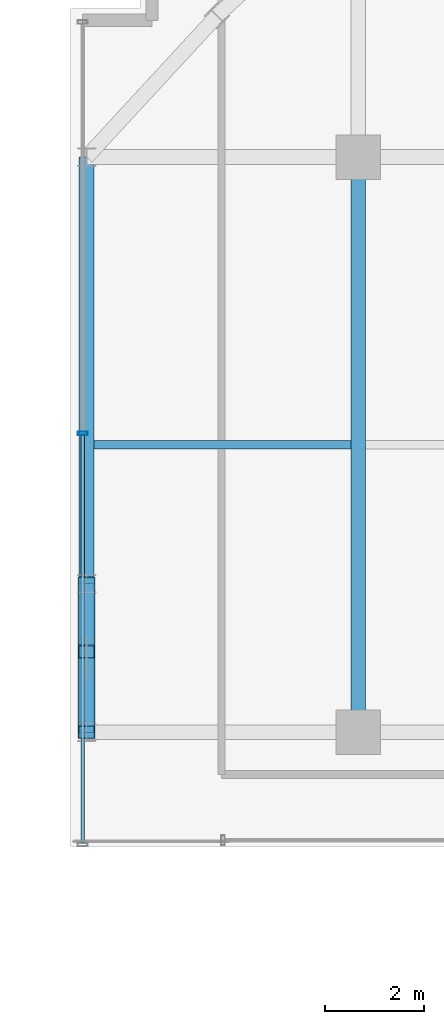
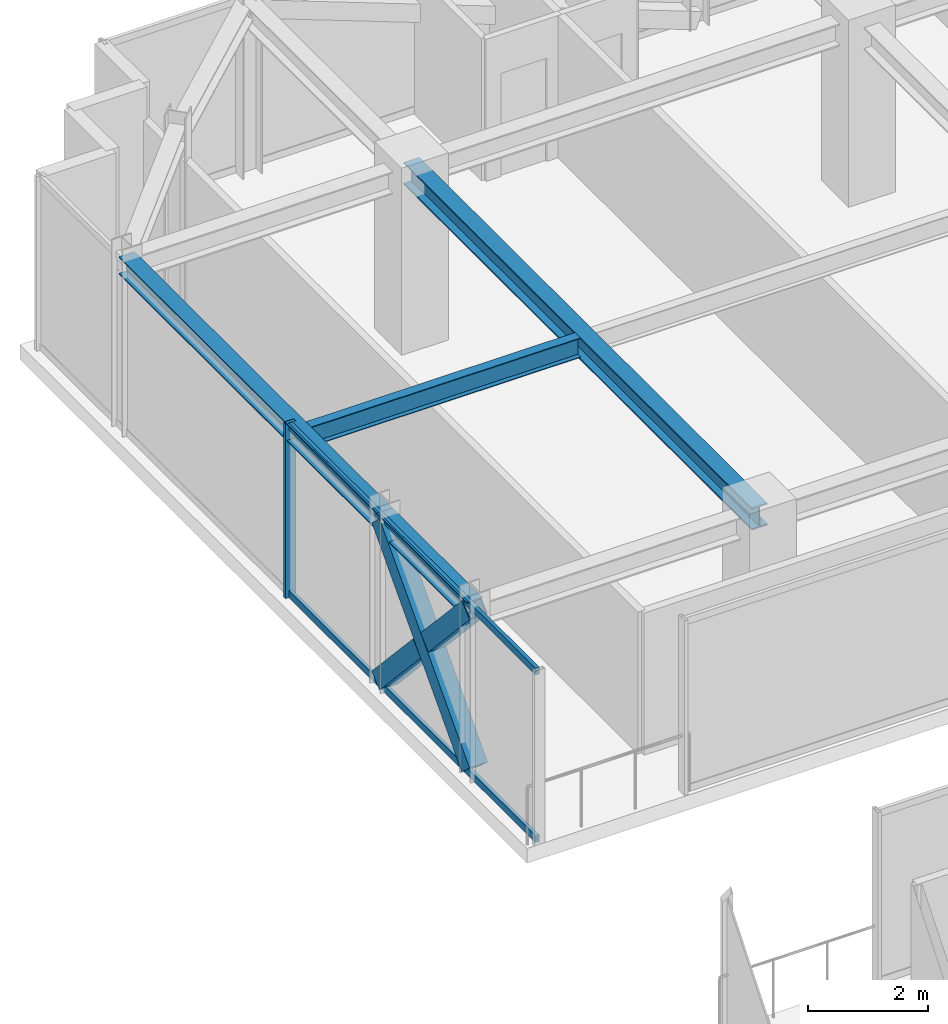
# One storey, part 21 of 37: 6 members, 4 beams, 1 element without a shape of its own.
"""IFC4 building model written with IfcOpenShell, lengths in metres."""

import ifcopenshell
import ifcopenshell.guid

model = None  # the IFC model being written
_history = None  # IfcOwnerHistory: only IFC2X3 demands one
_inside = {}  # id of a spatial element -> (the spatial element, [elements in it])
_under = {}  # id of a project, library or spatial element -> (it, [spatial elements below it])
_declared = {}  # id of a project -> (the project, [libraries it declares])
_typed = {}  # id of a type object -> (the type object, [elements of that type])
_made_of = {}  # id of a material, layer set ... -> (it, [elements and type objects made of it])


def new_model(schema):
    """Start an empty IFC model of exactly this schema.

    Asked for "IFC4X3", IfcOpenShell would pick the latest addendum, in which some entities
    have other attributes; the version numbers below select the first issue.
    IFC2X3 requires an IfcOwnerHistory on every rooted entity: one is made here for all.
    """
    global model, _history
    if schema == "IFC4X3":
        model = ifcopenshell.file(schema_version=(4, 3, 0, 0))
    else:
        model = ifcopenshell.file(schema=schema)
    _inside.clear()
    _under.clear()
    _declared.clear()
    _typed.clear()
    _made_of.clear()
    _history = None
    if model.schema == "IFC2X3":
        org = make("IfcOrganization", Name="unknown")
        user = make(
            "IfcPersonAndOrganization",
            ThePerson=make("IfcPerson", FamilyName="unknown"),
            TheOrganization=org,
        )
        app = make(
            "IfcApplication",
            ApplicationDeveloper=org,
            Version="unknown",
            ApplicationFullName="unknown",
            ApplicationIdentifier="unknown",
        )
        _history = make(
            "IfcOwnerHistory",
            OwningUser=user,
            OwningApplication=app,
            ChangeAction="ADDED",
            CreationDate=0,
        )
    return model


def make(cls, **values):
    """One entity of the class cls with the attributes given. An attribute that is None is left unset."""
    return model.create_entity(
        cls, **{name: value for name, value in values.items() if value is not None}
    )


def rooted(cls, **values):
    """An entity with a GlobalId (a new one), such as an element, a storey or a relation."""
    return make(cls, GlobalId=ifcopenshell.guid.new(), OwnerHistory=_history, **values)


def si_unit(unit_type, name, prefix=None):
    """IfcSIUnit, for example si_unit("LENGTHUNIT", "METRE", prefix="MILLI")."""
    return make("IfcSIUnit", UnitType=unit_type, Prefix=prefix, Name=name)


def assignment(units):
    """IfcUnitAssignment: the units of a project."""
    return None if units is None else make("IfcUnitAssignment", Units=units)


def point(xyz):
    """IfcCartesianPoint."""
    return None if xyz is None else make("IfcCartesianPoint", Coordinates=xyz)


def direction(xyz):
    """IfcDirection."""
    return None if xyz is None else make("IfcDirection", DirectionRatios=xyz)


def frame(location, z_axis=None, x_axis=None):
    """IfcAxis2Placement3D, a coordinate frame: its origin and axes. An axis left out is left unset."""
    return make(
        "IfcAxis2Placement3D",
        Location=point(location),
        Axis=direction(z_axis),
        RefDirection=direction(x_axis),
    )


def frame_2d(location, x_axis=None):
    """IfcAxis2Placement2D, a coordinate frame in the plane: its origin and x axis."""
    return make(
        "IfcAxis2Placement2D", Location=point(location), RefDirection=direction(x_axis)
    )


def origin():
    """The frame at (0, 0, 0) with its axes left unset."""
    return frame((0.0, 0.0, 0.0))


def origin_2d():
    """The frame at (0, 0) in the plane with its x axis left unset."""
    return frame_2d((0.0, 0.0))


def place(relative_to, where):
    """IfcLocalPlacement: puts the frame where relative to a parent placement (None: the world)."""
    return make(
        "IfcLocalPlacement", PlacementRelTo=relative_to, RelativePlacement=where
    )


def context(
    kind, dimensions, precision=None, world=None, true_north=None, identifier=None
):
    """IfcGeometricRepresentationContext, for example the 3D "Model" context."""
    return make(
        "IfcGeometricRepresentationContext",
        ContextIdentifier=identifier,
        ContextType=kind,
        CoordinateSpaceDimension=dimensions,
        Precision=precision,
        WorldCoordinateSystem=world,
        TrueNorth=true_north,
    )


def subcontext(parent, identifier, kind, view, scale=None):
    """IfcGeometricRepresentationSubContext, for example "Body" below "Model"."""
    return make(
        "IfcGeometricRepresentationSubContext",
        ContextIdentifier=identifier,
        ContextType=kind,
        ParentContext=parent,
        TargetScale=scale,
        TargetView=view,
    )


def project(units=None, contexts=None):
    """IfcProject with its units and contexts."""
    return rooted(
        "IfcProject",
        Name="project",
        RepresentationContexts=contexts,
        UnitsInContext=assignment(units),
    )


def spatial(cls, under=None, at=None, **own):
    """A site, building, storey or space (cls), placed at a placement, below another one or the project."""
    s = rooted(cls, ObjectPlacement=at, **own)
    if under is not None:
        _under.setdefault(under.id(), (under, []))[1].append(s)
    return s


def profile(cls, at=None, kind="AREA", **sizes):
    """A parametric profile (cls). Its sizes go by their IFC names, for example OverallWidth=200.0."""
    return make(cls, ProfileType=kind, Position=at, **sizes)


def hollow_rectangle(**sizes):
    """IfcRectangleHollowProfileDef."""
    return profile("IfcRectangleHollowProfileDef", **sizes)


def i_section(**sizes):
    """IfcIShapeProfileDef."""
    return profile("IfcIShapeProfileDef", **sizes)


def extrude(swept, where, along, depth):
    """IfcExtrudedAreaSolid: the profile swept, set in the frame where, extruded along a direction by depth."""
    return make(
        "IfcExtrudedAreaSolid",
        SweptArea=swept,
        Position=where,
        ExtrudedDirection=direction(along),
        Depth=depth,
    )


def shape(context_of_items, identifier, shape_type, items):
    """IfcShapeRepresentation: the items that make up one representation, for example the "Body"."""
    return make(
        "IfcShapeRepresentation",
        ContextOfItems=context_of_items,
        RepresentationIdentifier=identifier,
        RepresentationType=shape_type,
        Items=items,
    )


def source(mapping_origin, context_of_items, identifier, shape_type, items):
    """IfcRepresentationMap: a shape defined once, which mapped items show again and again."""
    return make(
        "IfcRepresentationMap",
        MappingOrigin=mapping_origin,
        MappedRepresentation=shape(context_of_items, identifier, shape_type, items),
    )


def transform(
    local_origin,
    x_axis=None,
    y_axis=None,
    z_axis=None,
    scale=None,
    scale2=None,
    scale3=None,
    uniform=True,
):
    """IfcCartesianTransformationOperator3D, or its non-uniform kind. x_axis, y_axis, z_axis: its Axis1, 2, 3."""
    if uniform:
        return make(
            "IfcCartesianTransformationOperator3D",
            Axis1=direction(x_axis),
            Axis2=direction(y_axis),
            LocalOrigin=point(local_origin),
            Scale=scale,
            Axis3=direction(z_axis),
        )
    return make(
        "IfcCartesianTransformationOperator3DnonUniform",
        Axis1=direction(x_axis),
        Axis2=direction(y_axis),
        LocalOrigin=point(local_origin),
        Scale=scale,
        Axis3=direction(z_axis),
        Scale2=scale2,
        Scale3=scale3,
    )


def mapped(mapping_source, mapping_target):
    """IfcMappedItem: shows the shape of a source again, moved by a transform."""
    return make(
        "IfcMappedItem", MappingSource=mapping_source, MappingTarget=mapping_target
    )


def material(Name=None, Category=None):
    """IfcMaterial."""
    return make("IfcMaterial", Name=Name, Category=Category)


def material_profile(
    of_material, cross_section, Name=None, Category=None, Priority=None
):
    """IfcMaterialProfile: a cross section and its material."""
    return make(
        "IfcMaterialProfile",
        Name=Name,
        Material=of_material,
        Profile=cross_section,
        Priority=Priority,
        Category=Category,
    )


def profile_set(profiles, Name=None, composite=None):
    """IfcMaterialProfileSet."""
    return make(
        "IfcMaterialProfileSet",
        Name=Name,
        MaterialProfiles=profiles,
        CompositeProfile=composite,
    )


def made_of(thing, what):
    """Note that an element or type object is made of a material, layer set ...; save() writes the relation."""
    if what is not None:
        _made_of.setdefault(what.id(), (what, []))[1].append(thing)
    return thing


def type_object(cls, material=None, **own):
    """A type object (cls), such as IfcWallType, which elements share."""
    return made_of(rooted(cls, **own), material)


def element(
    cls,
    number,
    at=None,
    inside=None,
    cuts=None,
    type_object=None,
    material=None,
    context=None,
    identifier="Body",
    shape_type=None,
    held_by="IfcProductDefinitionShape",
    body=None,
    shapes=None,
    **own,
):
    """One element of the class cls, such as IfcWall. Its Tag is "e" and its number.

    at: its placement. inside: the storey or other place that contains it. cuts: it is an
    opening in that element (IfcRelVoidsElement). A single representation is given by context,
    identifier, shape_type and body (its items); several are given by shapes. held_by: the class
    of the entity that holds the representations. save() writes the other relations.
    """
    e = rooted(cls, Tag="e%d" % number, ObjectPlacement=at, **own)
    if body is not None:
        shapes = [shape(context, identifier, shape_type, body)]
    if shapes is not None:
        e.Representation = make(held_by, Representations=shapes)
    if inside is not None:
        _inside.setdefault(inside.id(), (inside, []))[1].append(e)
    if cuts is not None:
        rooted(
            "IfcRelVoidsElement", RelatingBuildingElement=cuts, RelatedOpeningElement=e
        )
    if type_object is not None:
        _typed.setdefault(type_object.id(), (type_object, []))[1].append(e)
    return made_of(e, material)


def aggregate(whole, parts):
    """IfcRelAggregates: a whole, such as a stair, and the parts it consists of."""
    return rooted("IfcRelAggregates", RelatingObject=whole, RelatedObjects=parts)


def save(model, path):
    """Write the relations noted so far, then the file.

    IfcRelAggregates (storeys below a building ...), IfcRelContainedInSpatialStructure (elements
    in a storey), IfcRelDefinesByType, IfcRelAssociatesMaterial and IfcRelDeclares: one each for
    every whole, place, type object, material and project.
    """
    for whole, parts in _under.values():
        aggregate(whole, parts)
    for where, things in _inside.values():
        rooted(
            "IfcRelContainedInSpatialStructure",
            RelatedElements=things,
            RelatingStructure=where,
        )
    for kind, things in _typed.values():
        rooted("IfcRelDefinesByType", RelatedObjects=things, RelatingType=kind)
    for what, things in _made_of.values():
        rooted("IfcRelAssociatesMaterial", RelatedObjects=things, RelatingMaterial=what)
    for by, libraries in _declared.values():
        rooted("IfcRelDeclares", RelatingContext=by, RelatedDefinitions=libraries)
    model.write(path)


model = new_model("IFC4")

# Units and contexts
model_context = context("Model", 3, precision=1e-05, world=origin(), true_north=direction((0.0, 1.0)))
body_context = subcontext(model_context, "Body", "Model", "MODEL_VIEW")
ifc_project = project(units=[si_unit("LENGTHUNIT", "METRE"), si_unit("AREAUNIT", "SQUARE_METRE"), si_unit("VOLUMEUNIT", "CUBIC_METRE"), si_unit("PLANEANGLEUNIT", "RADIAN"), si_unit("MASSUNIT", "GRAM", prefix="KILO")], contexts=[model_context])

# Site, building, storey
site_placement = place(None, origin())
site = spatial("IfcSite", under=ifc_project, at=site_placement, CompositionType="ELEMENT")
building_placement = place(site_placement, origin())
building = spatial("IfcBuilding", under=site, at=building_placement, Name="Nahalor Promenade Grand Hotel", CompositionType="ELEMENT")
storey_placement = place(building_placement, frame((0.0, 0.0, 308.050048828125)))
storey = spatial("IfcBuildingStorey", under=building, at=storey_placement, Name="L79", CompositionType="ELEMENT", Elevation=308.050048828125)

# Beams
ifc_material_1 = material(Name="Steel S355JR", Category="steel")
ifc_material_profile_1 = material_profile(ifc_material_1, i_section(OverallWidth=0.3, OverallDepth=0.45, WebThickness=0.014, FlangeThickness=0.026, at=origin_2d()), Name="HEB 450")
ifc_profile_set_1 = profile_set([ifc_material_profile_1], Name="Steel S355JR")
beam_type_1 = type_object("IfcBeamType", Name="Beam-Girder-HEB450", PredefinedType="BEAM", material=ifc_profile_set_1)
shared_shape_1 = source(origin(), body_context, "Body", "SweptSolid", [
    extrude(i_section(OverallWidth=0.3, OverallDepth=0.45, WebThickness=0.014, FlangeThickness=0.026, at=origin_2d()), origin(), (0.0, 0.0, 1.0), 11.60009765625),
])
beam_1_placement = place(storey_placement, frame((-17.0, 5.39990234375, 3.324951171875), z_axis=(0.0, 1.0, 0.0), x_axis=(-1.0, 0.0, 0.0)))
element("IfcBeam", 1, at=beam_1_placement, inside=storey, type_object=beam_type_1, Name="BM-L79-GY-0-3", PredefinedType="BEAM", context=body_context, shape_type="MappedRepresentation", body=[
    mapped(shared_shape_1, transform((0.0, 0.0, 0.0), scale=1.0)),
])
ifc_material_profile_2 = material_profile(ifc_material_1, i_section(OverallWidth=0.18, OverallDepth=0.4, WebThickness=0.0086, FlangeThickness=0.0135, at=origin_2d()), Name="IPE 400")
ifc_profile_set_2 = profile_set([ifc_material_profile_2], Name="Steel S355JR")
beam_type_2 = type_object("IfcBeamType", Name="Beam-Joist-IPE400", PredefinedType="JOIST", material=ifc_profile_set_2)
shared_shape_2 = source(origin(), body_context, "Body", "SweptSolid", [
    extrude(i_section(OverallWidth=0.18, OverallDepth=0.4, WebThickness=0.0086, FlangeThickness=0.0135, at=origin_2d()), origin(), (0.0, 0.0, 1.0), 5.18017578125),
])
beam_2_placement = place(storey_placement, frame((-22.330078125, 11.199951171875, 3.349853515625), z_axis=(1.0, 0.0, 0.0), x_axis=(0.0, 1.0, 0.0)))
element("IfcBeam", 2, at=beam_2_placement, inside=storey, type_object=beam_type_2, Name="BM-L79-JSW-1-0", PredefinedType="JOIST", context=body_context, shape_type="MappedRepresentation", body=[
    mapped(shared_shape_2, transform((0.0, 0.0, 0.0), scale=1.0)),
])
ifc_material_profile_3 = material_profile(ifc_material_1, i_section(OverallWidth=0.3, OverallDepth=0.36, WebThickness=0.0125, FlangeThickness=0.0225, at=origin_2d()), Name="HEB 360")
ifc_profile_set_3 = profile_set([ifc_material_profile_3], Name="Steel S355JR")
beam_type_3 = type_object("IfcBeamType", Name="Beam-Spandrel-HEB360", PredefinedType="SPANDREL", material=ifc_profile_set_3)
shared_shape_3 = source(origin(), body_context, "Body", "SweptSolid", [
    extrude(i_section(OverallWidth=0.3, OverallDepth=0.36, WebThickness=0.0125, FlangeThickness=0.0225, at=origin_2d()), origin(), (0.0, 0.0, 1.0), 8.60009765625),
])
beam_3_placement = place(storey_placement, frame((-22.47998046875, 8.39990234375, 3.369873046875), z_axis=(0.0, 1.0, 0.0), x_axis=(-1.0, 0.0, 0.0)))
element("IfcBeam", 3, at=beam_3_placement, inside=storey, type_object=beam_type_3, Name="BM-L79-SP-W-4", PredefinedType="SPANDREL", context=body_context, shape_type="MappedRepresentation", body=[
    mapped(shared_shape_3, transform((0.0, 0.0, 0.0), scale=1.0)),
])
shared_shape_4 = source(origin(), body_context, "Body", "SweptSolid", [
    extrude(i_section(OverallWidth=0.3, OverallDepth=0.36, WebThickness=0.0125, FlangeThickness=0.0225, at=origin_2d()), origin(), (0.0, 0.0, 1.0), 3.0),
])
beam_4_placement = place(storey_placement, frame((-22.47998046875, 5.39990234375, 3.369873046875), z_axis=(0.0, 1.0, 0.0), x_axis=(-1.0, 0.0, 0.0)))
element("IfcBeam", 4, at=beam_4_placement, inside=storey, type_object=beam_type_3, Name="BM-L79-SP-W-3", PredefinedType="SPANDREL", context=body_context, shape_type="MappedRepresentation", body=[
    mapped(shared_shape_4, transform((0.0, 0.0, 0.0), scale=1.0)),
])

# Members
ifc_material_profile_4 = material_profile(ifc_material_1, hollow_rectangle(XDim=0.35, YDim=0.35, WallThickness=0.02, at=origin_2d()), Name="SHS 350x350x20")
ifc_profile_set_4 = profile_set([ifc_material_profile_4], Name="Steel S355JR")
member_type_1 = type_object("IfcMemberType", Name="Mem-VoidBrace-SHS350", PredefinedType="BRACE", material=ifc_profile_set_4)
shared_shape_5 = source(origin(), body_context, "Body", "SweptSolid", [
    extrude(hollow_rectangle(XDim=0.35, YDim=0.35, WallThickness=0.02, at=origin_2d()), origin(), (0.0, 0.0, 1.0), 4.4228515625),
])
member_1_placement = place(storey_placement, frame((-22.47998046875, 5.39990234375, 0.14990234375), z_axis=(0.0, 0.678280102733, 0.734803444627), x_axis=(-1.0, 0.0, 0.0)))
element("IfcMember", 5, at=member_1_placement, inside=storey, type_object=member_type_1, Name="EXO-L79-VX1-W1", PredefinedType="BRACE", context=body_context, shape_type="MappedRepresentation", body=[
    mapped(shared_shape_5, transform((0.0, 0.0, 0.0), scale=1.0)),
])
shared_shape_6 = source(origin(), body_context, "Body", "SweptSolid", [
    extrude(hollow_rectangle(XDim=0.35, YDim=0.35, WallThickness=0.02, at=origin_2d()), origin(), (0.0, 0.0, 1.0), 2.02392578125),
])
for number, where, z_axis, x_axis, name in (
    (6, (-22.47998046875, 8.39990234375, 0.14990234375), (0.0, -0.678255053132, 0.734826566545), (1.0, 0.0, 0.0), "EXO-L79-VX2-W1A"),
    (7, (-22.47998046875, 6.772705078125, 1.912841796875), (0.0, -0.678315173958, 0.734771069639), (1.0, 0.0, 0.0), "EXO-L79-VX2-W1B"),
):
    element("IfcMember", number, at=place(storey_placement, frame(where, z_axis=z_axis, x_axis=x_axis)), inside=storey, type_object=member_type_1, Name=name, PredefinedType="BRACE", context=body_context, shape_type="MappedRepresentation", body=[
        mapped(shared_shape_6, transform((0.0, 0.0, 0.0), scale=1.0)),
    ])

# Curtain wall, members
ifc_material_2 = material(Name="Anodised Bronze Aluminium EN AW-6063 T6", Category="aluminium")
curtain_wall_type = type_object("IfcCurtainWallType", Name="CW3 Elliptical-Void Collar Unitised Curtain Wall", PredefinedType="USERDEFINED", material=ifc_material_2)
curtain_wall_placement = place(storey_placement, origin())
curtain_wall = element("IfcCurtainWall", 8, at=curtain_wall_placement, inside=storey, type_object=curtain_wall_type, Name="L79 Curtain Wall CW-L79-W-4", ObjectType="UNITISED_CURTAIN_WALL", PredefinedType="USERDEFINED")
ifc_material_profile_5 = material_profile(ifc_material_2, hollow_rectangle(XDim=0.07, YDim=0.14, WallThickness=0.004, at=origin_2d()), Name="CWT 70x140x4")
ifc_profile_set_5 = profile_set([ifc_material_profile_5], Name="Anodised Bronze Aluminium EN AW-6063 T6")
member_type_2 = type_object("IfcMemberType", Name="CWT3 Void Collar Transom 70x140", PredefinedType="USERDEFINED", material=ifc_profile_set_5)
shared_shape_7 = source(origin(), body_context, "Body", "SweptSolid", [
    extrude(hollow_rectangle(XDim=0.07, YDim=0.14, WallThickness=0.004, at=origin_2d()), origin(), (0.0, 0.0, 1.0), 8.22509765625),
])
member_2_placement = place(storey_placement, frame((-22.56005859375, 3.169921875, 0.070068359375), z_axis=(0.0, 1.0, 0.0), x_axis=(-1.0, 0.0, 0.0)))
member_2 = element("IfcMember", 9, at=member_2_placement, type_object=member_type_2, Name="CW-L79-W-4 Transom 0-0", ObjectType="TRANSOM", PredefinedType="USERDEFINED", context=body_context, shape_type="MappedRepresentation", body=[
    mapped(shared_shape_7, transform((0.0, 0.0, 0.0), scale=1.0)),
])
member_3_placement = place(storey_placement, frame((-22.56005859375, 3.169921875, 3.47998046875), z_axis=(0.0, 1.0, 0.0), x_axis=(-1.0, 0.0, 0.0)))
member_3 = element("IfcMember", 10, at=member_3_placement, type_object=member_type_2, Name="CW-L79-W-4 Transom 0-1", ObjectType="TRANSOM", PredefinedType="USERDEFINED", context=body_context, shape_type="MappedRepresentation", body=[
    mapped(shared_shape_7, transform((0.0, 0.0, 0.0), scale=1.0)),
])
ifc_material_profile_6 = material_profile(ifc_material_2, hollow_rectangle(XDim=0.07, YDim=0.2, WallThickness=0.005, at=origin_2d()), Name="CWM 70x200x5")
ifc_profile_set_6 = profile_set([ifc_material_profile_6], Name="Anodised Bronze Aluminium EN AW-6063 T6")
member_type_3 = type_object("IfcMemberType", Name="CWM3 Void Collar Mullion 70x200", PredefinedType="MULLION", material=ifc_profile_set_6)
shared_shape_8 = source(origin(), body_context, "Body", "SweptSolid", [
    extrude(hollow_rectangle(XDim=0.07, YDim=0.2, WallThickness=0.005, at=origin_2d()), origin(), (0.0, 0.0, 1.0), 3.550048828125),
])
member_4_placement = place(storey_placement, frame((-22.56005859375, 11.429931640625, 0.0), z_axis=(0.0, 0.0, 1.0), x_axis=(0.0, 1.0, 0.0)))
member_4 = element("IfcMember", 11, at=member_4_placement, type_object=member_type_3, Name="CW-L79-W-4 Mullion 1", PredefinedType="MULLION", context=body_context, shape_type="MappedRepresentation", body=[
    mapped(shared_shape_8, transform((0.0, 0.0, 0.0), scale=1.0)),
])
aggregate(curtain_wall, [member_4, member_2, member_3])

save(model, "model.ifc")
